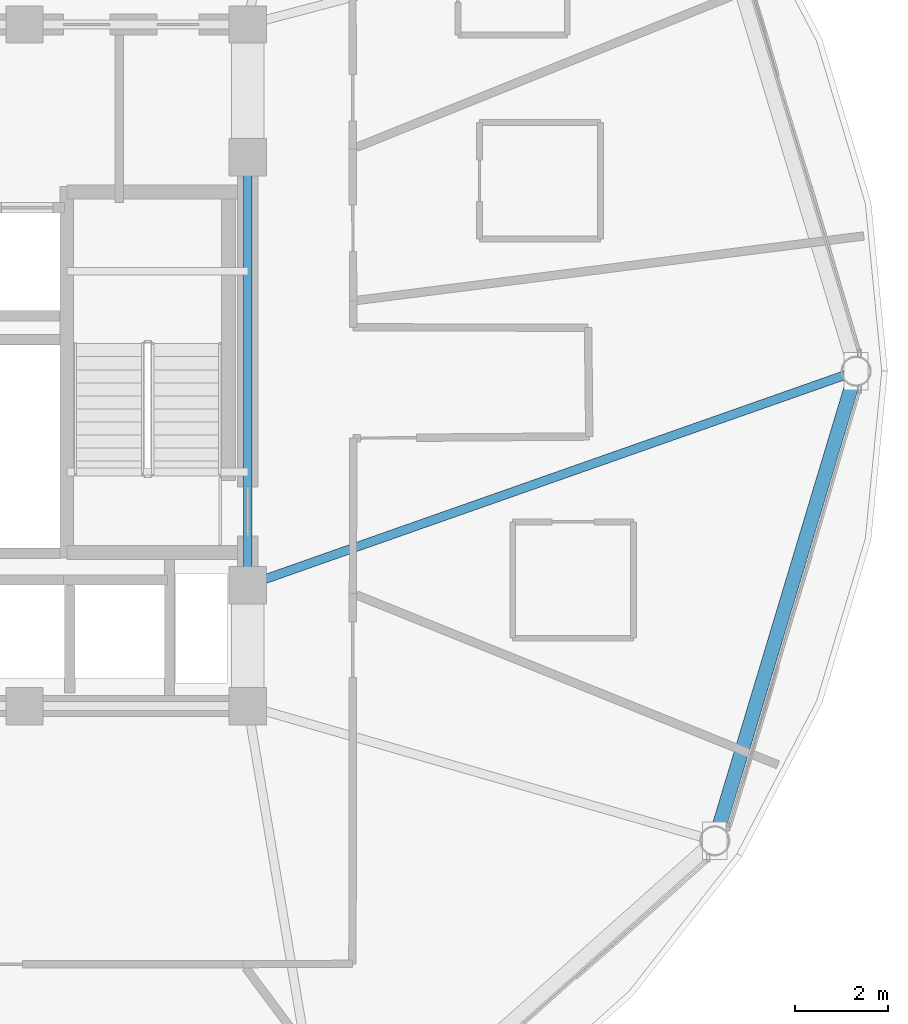
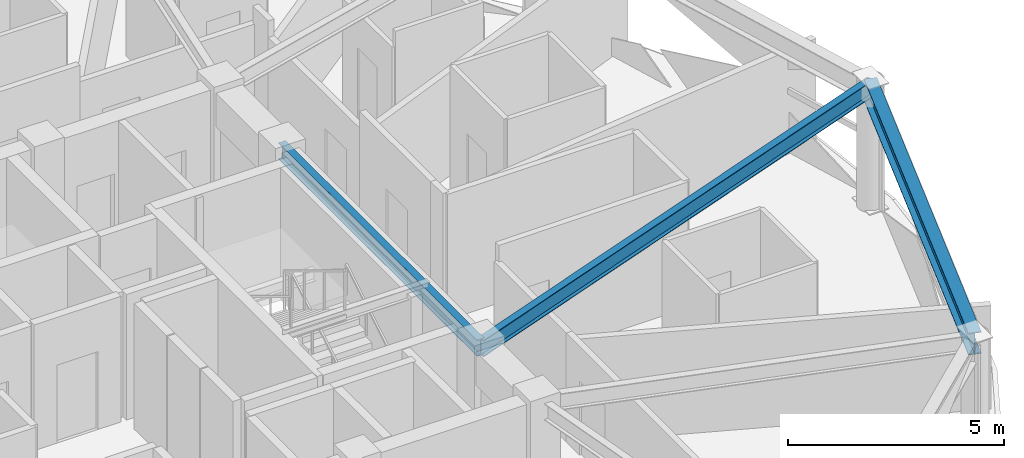
# One storey, part 13 of 30: 3 beams.
"""IFC4 building model written with IfcOpenShell, lengths in metres."""

from ifc_helpers import new_model, si_unit, direction, frame, origin, origin_2d, place, context, subcontext, project, spatial, i_section, extrude, material, material_profile, profile_set, type_object, element, save


model = new_model("IFC4")

# Units and contexts
model_context = context("Model", 3, precision=1e-05, world=origin(), true_north=direction((0.0, 1.0)))
body_context = subcontext(model_context, "Body", "Model", "MODEL_VIEW")
ifc_project = project(units=[si_unit("LENGTHUNIT", "METRE"), si_unit("AREAUNIT", "SQUARE_METRE"), si_unit("VOLUMEUNIT", "CUBIC_METRE"), si_unit("PLANEANGLEUNIT", "RADIAN"), si_unit("MASSUNIT", "GRAM", prefix="KILO")], contexts=[model_context])

# Site, building, storey
site_placement = place(None, origin())
site = spatial("IfcSite", under=ifc_project, at=site_placement, CompositionType="ELEMENT")
building_placement = place(site_placement, origin())
building = spatial("IfcBuilding", under=site, at=building_placement, Name="Vantalir Tower", CompositionType="ELEMENT")
storey_placement = place(building_placement, frame((0.0, 0.0, 186.14990234375)))
storey = spatial("IfcBuildingStorey", under=building, at=storey_placement, Name="L46", CompositionType="ELEMENT", Elevation=186.14990234375)

# Beams
ifc_material_1 = material(Name="Steel S355", Category="steel")
ifc_material_profile_1 = material_profile(ifc_material_1, i_section(OverallWidth=0.19189453125, OverallDepth=0.462890625, WebThickness=0.010498046875, FlangeThickness=0.017578125, at=origin_2d()), Name="Steel S355")
ifc_profile_set_1 = profile_set([ifc_material_profile_1], Name="Steel S355")
beam_type_1 = type_object("IfcBeamType", Name="BM-RB-457x191", PredefinedType="BEAM", material=ifc_profile_set_1)
beam_1_placement = place(storey_placement, frame((41.10009765625, 20.39990234375, 3.338134765625), z_axis=(0.0, 1.0, 0.0), x_axis=(-1.0, 0.0, 0.0)))
element("IfcBeam", 1, at=beam_1_placement, inside=storey, type_object=beam_type_1, Name="L46 Core Coupling Girder 06", PredefinedType="BEAM", context=body_context, shape_type="SweptSolid", body=[
    extrude(i_section(OverallWidth=0.19189453125, OverallDepth=0.462890625, WebThickness=0.010498046875, FlangeThickness=0.017578125, at=origin_2d()), origin(), (0.0, 0.0, 1.0), 9.2001953125),
])
beam_2_placement = place(storey_placement, frame((54.176025390625, 25.0, 3.338134765625), z_axis=(-0.943328014031, -0.331861805492, 0.0), x_axis=(0.331861805492, -0.943328014031, 0.0)))
element("IfcBeam", 2, at=beam_2_placement, inside=storey, type_object=beam_type_1, Name="L46 Radial Floor Beam 01", PredefinedType="BEAM", context=body_context, shape_type="SweptSolid", body=[
    extrude(i_section(OverallWidth=0.19189453125, OverallDepth=0.462890625, WebThickness=0.010498046875, FlangeThickness=0.017578125, at=origin_2d()), origin(), (0.0, 0.0, 1.0), 13.861572265625),
])
ifc_material_2 = material(Name="Steel S460", Category="steel")
ifc_material_profile_2 = material_profile(ifc_material_2, i_section(OverallWidth=0.306884765625, OverallDepth=0.6201171875, WebThickness=0.01416015625, FlangeThickness=0.023681640625, at=origin_2d()), Name="Steel S460")
ifc_profile_set_2 = profile_set([ifc_material_profile_2], Name="Steel S460")
beam_type_2 = type_object("IfcBeamType", Name="BM-RG-610x305", PredefinedType="USERDEFINED", material=ifc_profile_set_2)
beam_3_placement = place(storey_placement, frame((51.137939453125, 14.906005859375, 3.260009765625), z_axis=(0.288208317462, 0.957567734286, 0.0), x_axis=(-0.957567734286, 0.288208317462, 0.0)))
element("IfcBeam", 3, at=beam_3_placement, inside=storey, type_object=beam_type_2, Name="L46 Circumferential Ring Girder 12", ObjectType="GIRDER", PredefinedType="USERDEFINED", context=body_context, shape_type="SweptSolid", body=[
    extrude(i_section(OverallWidth=0.306884765625, OverallDepth=0.6201171875, WebThickness=0.01416015625, FlangeThickness=0.023681640625, at=origin_2d()), origin(), (0.0, 0.0, 1.0), 10.541259765625),
])

save(model, "model.ifc")
